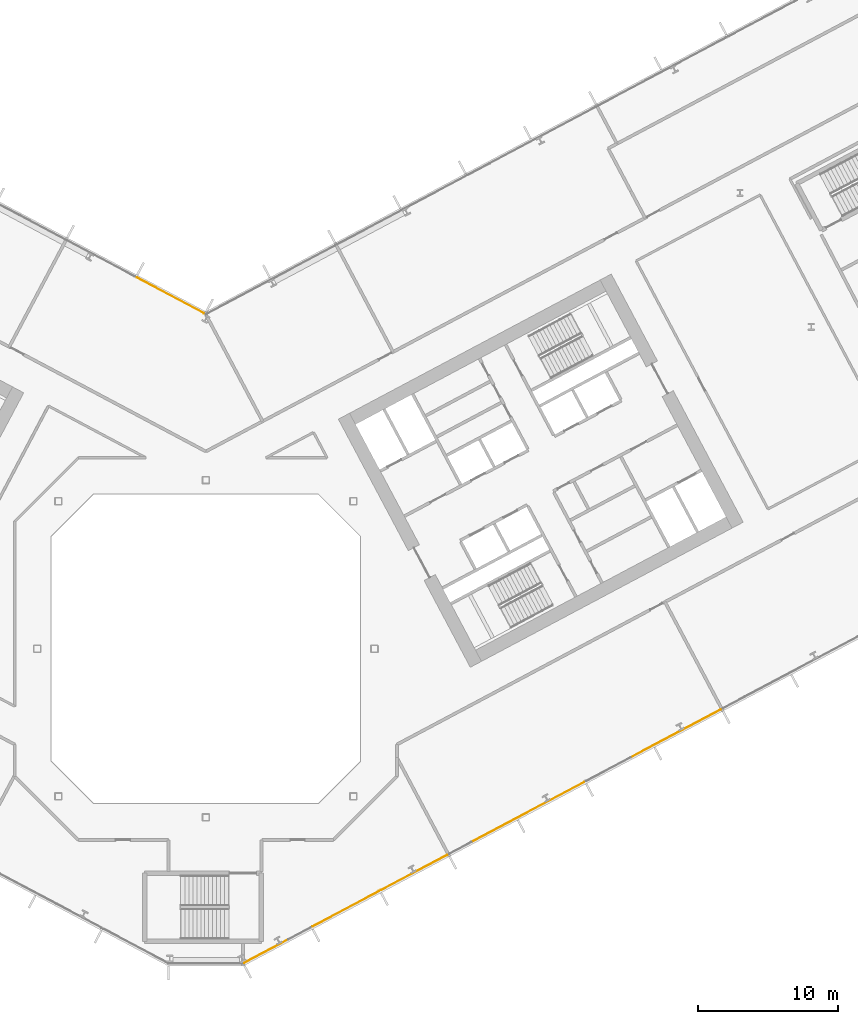
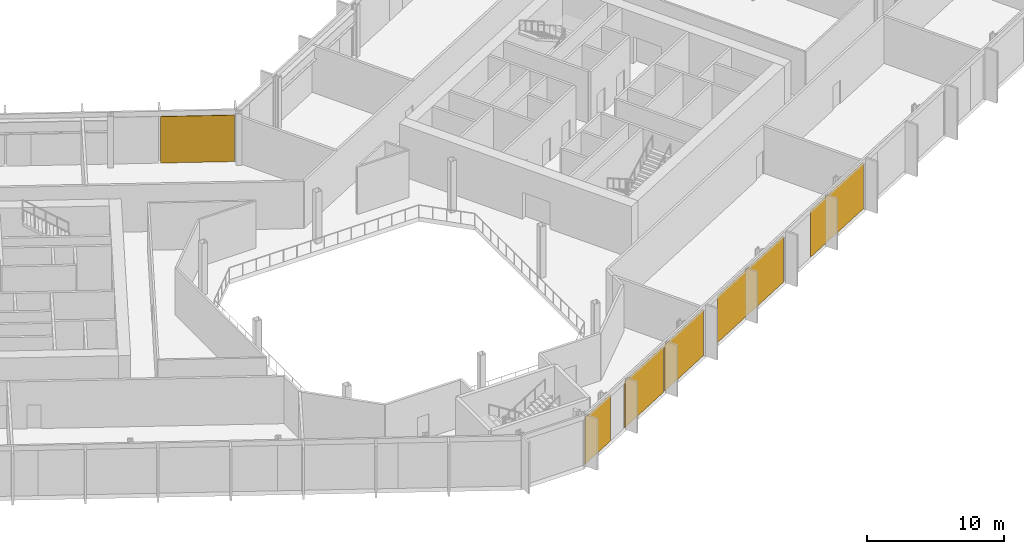
# One storey, part 27 of 32: 6 coverings, 2 elements without a shape of their own.
"""IFC4 building model written with IfcOpenShell, lengths in metres."""

from ifc_helpers import new_model, si_unit, direction, frame, origin, origin_2d, place, context, subcontext, project, spatial, rectangle, extrude, material, layer, layer_set, type_object, element, aggregate, save


model = new_model("IFC4")

# Units and contexts
model_context = context("Model", 3, precision=1e-05, world=origin(), true_north=direction((0.0, 1.0)))
body_context = subcontext(model_context, "Body", "Model", "MODEL_VIEW")
ifc_project = project(units=[si_unit("LENGTHUNIT", "METRE"), si_unit("AREAUNIT", "SQUARE_METRE"), si_unit("VOLUMEUNIT", "CUBIC_METRE"), si_unit("PLANEANGLEUNIT", "RADIAN"), si_unit("MASSUNIT", "GRAM", prefix="KILO")], contexts=[model_context])

# Site, building, storey
site_placement = place(None, origin())
site = spatial("IfcSite", under=ifc_project, at=site_placement, CompositionType="ELEMENT")
building_placement = place(site_placement, origin())
building = spatial("IfcBuilding", under=site, at=building_placement, Name="Cormorant Relay Tower", CompositionType="ELEMENT")
storey_placement = place(building_placement, frame((0.0, 0.0, 75.39990234375)))
storey = spatial("IfcBuildingStorey", under=building, at=storey_placement, Name="L14", CompositionType="ELEMENT", Elevation=75.39990234375)

# Curtain wall, coverings
ifc_material_1 = material(Name="Aluminium 6063-T6 anodised bronze", Category="aluminium")
ifc_layer_1 = layer(ifc_material_1, 0.199951171875)
ifc_layer_set_1 = layer_set([ifc_layer_1], Name="CW1 unitised bronze curtain wall with vertical fins")
curtain_wall_type = type_object("IfcCurtainWallType", Name="CW1 unitised bronze curtain wall with vertical fins", PredefinedType="NOTDEFINED", material=ifc_layer_set_1)
curtain_wall_1_placement = place(storey_placement, origin())
curtain_wall_1 = element("IfcCurtainWall", 1, at=curtain_wall_1_placement, inside=storey, type_object=curtain_wall_type, Name="CW1 curtain wall 2", PredefinedType="NOTDEFINED")
ifc_material_2 = material(Name="Pale bronze anodised aluminium insulated panel", Category="aluminium")
ifc_layer_2 = layer(ifc_material_2, 0.0400390625)
ifc_layer_set_2 = layer_set([ifc_layer_2], Name="CW1 pale bronze insulated panel 40")
covering_type = type_object("IfcCoveringType", Name="CW1 pale bronze insulated panel 40", PredefinedType="CLADDING", material=ifc_layer_set_2)
covering_1_placement = place(storey_placement, frame((4.296875, -21.52197265625, 0.000244140625), z_axis=(0.0, 0.0, 1.0), x_axis=(0.882947592859, 0.469471562786, 0.0)))
covering_1 = element("IfcCovering", 2, at=covering_1_placement, type_object=covering_type, Name="CW1 panel S00", PredefinedType="CLADDING", context=body_context, shape_type="SweptSolid", body=[
    extrude(rectangle(XDim=3.561767578125, YDim=0.0400390625, at=origin_2d()), origin(), (0.0, 0.0, 1.0), 4.14990234375),
])
covering_2_placement = place(storey_placement, frame((9.958251953125, -18.51171875, 0.000244140625), z_axis=(0.0, 0.0, 1.0), x_axis=(0.882947592859, 0.469471562786, 0.0)))
covering_2 = element("IfcCovering", 3, at=covering_2_placement, type_object=covering_type, Name="CW1 panel S02", PredefinedType="CLADDING", context=body_context, shape_type="SweptSolid", body=[
    extrude(rectangle(XDim=5.36181640625, YDim=0.0400390625, at=origin_2d()), origin(), (0.0, 0.0, 1.0), 4.14990234375),
])
covering_3_placement = place(storey_placement, frame((14.824951171875, -15.924072265625, 0.000244140625), z_axis=(0.0, 0.0, 1.0), x_axis=(0.882947592859, 0.469471562786, 0.0)))
covering_3 = element("IfcCovering", 4, at=covering_3_placement, type_object=covering_type, Name="CW1 panel S03", PredefinedType="CLADDING", context=body_context, shape_type="SweptSolid", body=[
    extrude(rectangle(XDim=5.36181640625, YDim=0.0400390625, at=origin_2d()), origin(), (0.0, 0.0, 1.0), 4.14990234375),
])
covering_4_placement = place(storey_placement, frame((22.919677734375, -11.6201171875, 0.000244140625), z_axis=(0.0, 0.0, 1.0), x_axis=(0.882947592859, 0.469471562786, 0.0)))
covering_4 = element("IfcCovering", 5, at=covering_4_placement, type_object=covering_type, Name="CW1 panel S05", PredefinedType="CLADDING", context=body_context, shape_type="SweptSolid", body=[
    extrude(rectangle(XDim=9.07373046875, YDim=0.0400390625, at=origin_2d()), origin(), (0.0, 0.0, 1.0), 4.14990234375),
])
covering_5_placement = place(storey_placement, frame((33.447509765625, -6.022216796875, 0.000244140625), z_axis=(0.0, 0.0, 1.0), x_axis=(0.882947592859, 0.469471562786, 0.0)))
covering_5 = element("IfcCovering", 6, at=covering_5_placement, type_object=covering_type, Name="CW1 panel S07", PredefinedType="CLADDING", context=body_context, shape_type="SweptSolid", body=[
    extrude(rectangle(XDim=7.273681640625, YDim=0.0400390625, at=origin_2d()), origin(), (0.0, 0.0, 1.0), 4.14990234375),
])
aggregate(curtain_wall_1, [covering_1, covering_2, covering_3, covering_4, covering_5])

# Curtain wall, covering
curtain_wall_2_placement = place(storey_placement, origin())
curtain_wall_2 = element("IfcCurtainWall", 7, at=curtain_wall_2_placement, inside=storey, type_object=curtain_wall_type, Name="CW1 curtain wall 7", PredefinedType="NOTDEFINED")
covering_6_placement = place(storey_placement, frame((-2.51318359375, 25.142822265625, 0.000244140625), z_axis=(0.0, 0.0, 1.0), x_axis=(-0.882947592859, 0.469471562786, 0.0)))
covering_6 = element("IfcCovering", 8, at=covering_6_placement, type_object=covering_type, Name="CW1 panel S00", PredefinedType="CLADDING", context=body_context, shape_type="SweptSolid", body=[
    extrude(rectangle(XDim=5.4140625, YDim=0.0400390625, at=origin_2d()), origin(), (0.0, 0.0, 1.0), 4.14990234375),
])
aggregate(curtain_wall_2, [covering_6])

save(model, "model.ifc")
